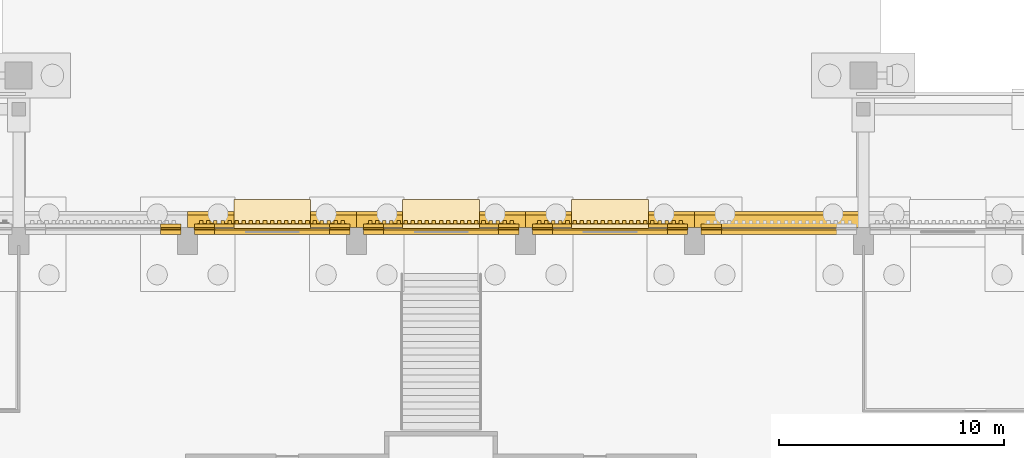
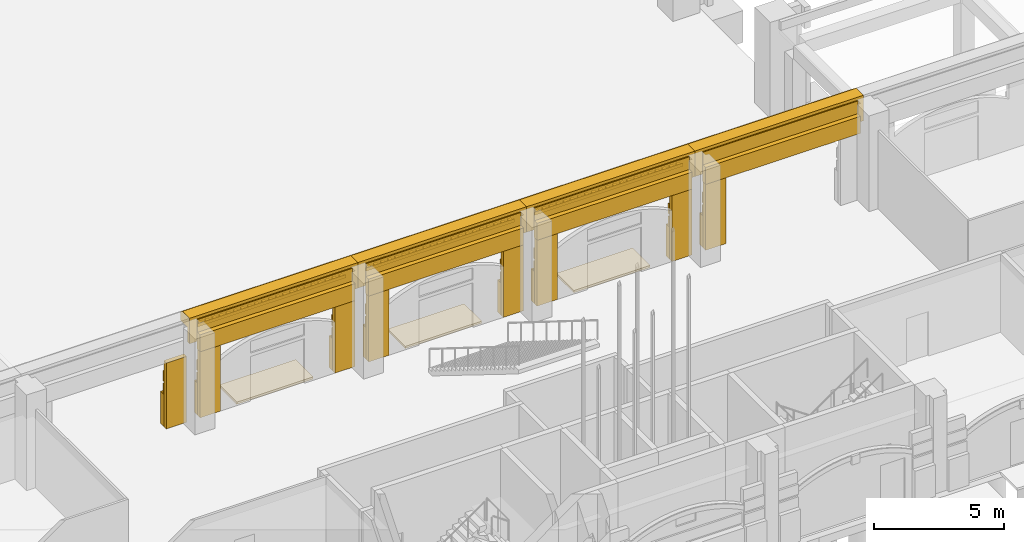
# One storey, part 77 of 99: 46 coverings.
"""IFC4 building model written with IfcOpenShell, lengths in metres."""

from ifc_helpers import new_model, si_unit, direction, frame, origin, place, context, subcontext, project, spatial, polyline, outline, extrude, material, layer, layer_set, type_object, element, save


model = new_model("IFC4")

# Units and contexts
model_context = context("Model", 3, precision=1e-05, world=origin(), true_north=direction((0.0, 1.0)))
body_context = subcontext(model_context, "Body", "Model", "MODEL_VIEW")
ifc_project = project(units=[si_unit("LENGTHUNIT", "METRE"), si_unit("AREAUNIT", "SQUARE_METRE"), si_unit("VOLUMEUNIT", "CUBIC_METRE"), si_unit("PLANEANGLEUNIT", "RADIAN"), si_unit("MASSUNIT", "GRAM", prefix="KILO")], contexts=[model_context])

# Site, building, storey
site_placement = place(None, origin())
site = spatial("IfcSite", under=ifc_project, at=site_placement, CompositionType="ELEMENT")
building_placement = place(site_placement, origin())
building = spatial("IfcBuilding", under=site, at=building_placement, Name="Cour d'Honneur Mobility Palace", CompositionType="ELEMENT")
storey_placement = place(building_placement, origin())
storey = spatial("IfcBuildingStorey", under=building, at=storey_placement, Name="L00", CompositionType="ELEMENT", Elevation=0.0)

# Coverings
ifc_material_1 = material(Name="Cast limestone", Category="masonry")
ifc_layer_1 = layer(ifc_material_1, 0.14990234375)
ifc_layer_set_1 = layer_set([ifc_layer_1], Name="Cast limestone")
covering_type_1 = type_object("IfcCoveringType", Name="Dentil course", PredefinedType="CLADDING", material=ifc_layer_set_1)
covering_1_placement = place(storey_placement, frame((0.0, 0.0, 3.949951171875)))
element("IfcCovering", 1, at=covering_1_placement, inside=storey, type_object=covering_type_1, Name="Dentil course DC-45", PredefinedType="CLADDING", context=body_context, shape_type="SweptSolid", body=[
    extrude(outline(polyline([(91.949951171875, 63.300048828125), (85.35009765625, 63.300048828125), (85.35009765625, 63.330078125), (85.35009765625, 63.330078125), (85.428466796875, 63.330078125), (85.428466796875, 63.449951171875), (85.585693359375, 63.449951171875), (85.585693359375, 63.330078125), (85.664306640625, 63.330078125), (85.664306640625, 63.330078125), (85.742919921875, 63.330078125), (85.742919921875, 63.449951171875), (85.89990234375, 63.449951171875), (85.89990234375, 63.330078125), (85.978515625, 63.330078125), (85.978515625, 63.330078125), (86.05712890625, 63.330078125), (86.05712890625, 63.449951171875), (86.21435546875, 63.449951171875), (86.21435546875, 63.330078125), (86.29296875, 63.330078125), (86.29296875, 63.330078125), (86.371337890625, 63.330078125), (86.371337890625, 63.449951171875), (86.528564453125, 63.449951171875), (86.528564453125, 63.330078125), (86.607177734375, 63.330078125), (86.607177734375, 63.330078125), (86.685791015625, 63.330078125), (86.685791015625, 63.449951171875), (86.8427734375, 63.449951171875), (86.8427734375, 63.330078125), (86.92138671875, 63.330078125), (86.92138671875, 63.330078125), (87.0, 63.330078125), (87.0, 63.449951171875), (87.1572265625, 63.449951171875), (87.1572265625, 63.330078125), (87.235595703125, 63.330078125), (87.235595703125, 63.330078125), (87.314208984375, 63.330078125), (87.314208984375, 63.449951171875), (87.471435546875, 63.449951171875), (87.471435546875, 63.330078125), (87.550048828125, 63.330078125), (87.550048828125, 63.330078125), (87.628662109375, 63.330078125), (87.628662109375, 63.449951171875), (87.78564453125, 63.449951171875), (87.78564453125, 63.330078125), (87.8642578125, 63.330078125), (87.8642578125, 63.330078125), (87.94287109375, 63.330078125), (87.94287109375, 63.449951171875), (88.10009765625, 63.449951171875), (88.10009765625, 63.330078125), (88.178466796875, 63.330078125), (88.178466796875, 63.330078125), (88.257080078125, 63.330078125), (88.257080078125, 63.449951171875), (88.414306640625, 63.449951171875), (88.414306640625, 63.330078125), (88.492919921875, 63.330078125), (88.492919921875, 63.330078125), (88.571533203125, 63.330078125), (88.571533203125, 63.449951171875), (88.728515625, 63.449951171875), (88.728515625, 63.330078125), (88.80712890625, 63.330078125), (88.80712890625, 63.330078125), (88.8857421875, 63.330078125), (88.8857421875, 63.449951171875), (89.04296875, 63.449951171875), (89.04296875, 63.330078125), (89.121337890625, 63.330078125), (89.121337890625, 63.330078125), (89.199951171875, 63.330078125), (89.199951171875, 63.449951171875), (89.357177734375, 63.449951171875), (89.357177734375, 63.330078125), (89.435791015625, 63.330078125), (89.435791015625, 63.330078125), (89.514404296875, 63.330078125), (89.514404296875, 63.449951171875), (89.67138671875, 63.449951171875), (89.67138671875, 63.330078125), (89.75, 63.330078125), (89.75, 63.330078125), (89.82861328125, 63.330078125), (89.82861328125, 63.449951171875), (89.985595703125, 63.449951171875), (89.985595703125, 63.330078125), (90.064208984375, 63.330078125), (90.064208984375, 63.330078125), (90.142822265625, 63.330078125), (90.142822265625, 63.449951171875), (90.300048828125, 63.449951171875), (90.300048828125, 63.330078125), (90.378662109375, 63.330078125), (90.378662109375, 63.330078125), (90.45703125, 63.330078125), (90.45703125, 63.449951171875), (90.6142578125, 63.449951171875), (90.6142578125, 63.330078125), (90.69287109375, 63.330078125), (90.69287109375, 63.330078125), (90.771484375, 63.330078125), (90.771484375, 63.449951171875), (90.928466796875, 63.449951171875), (90.928466796875, 63.330078125), (91.007080078125, 63.330078125), (91.007080078125, 63.330078125), (91.085693359375, 63.330078125), (91.085693359375, 63.449951171875), (91.242919921875, 63.449951171875), (91.242919921875, 63.330078125), (91.321533203125, 63.330078125), (91.321533203125, 63.330078125), (91.39990234375, 63.330078125), (91.39990234375, 63.449951171875), (91.55712890625, 63.449951171875), (91.55712890625, 63.330078125), (91.6357421875, 63.330078125), (91.6357421875, 63.330078125), (91.71435546875, 63.330078125), (91.71435546875, 63.449951171875), (91.871337890625, 63.449951171875), (91.871337890625, 63.330078125), (91.949951171875, 63.330078125), (91.949951171875, 63.300048828125)])), origin(), (0.0, 0.0, 1.0), 0.150146484375),
])
covering_2_placement = place(storey_placement, frame((0.0, 0.0, 3.949951171875)))
element("IfcCovering", 2, at=covering_2_placement, inside=storey, type_object=covering_type_1, Name="Dentil course DC-46", PredefinedType="CLADDING", context=body_context, shape_type="SweptSolid", body=[
    extrude(outline(polyline([(84.449951171875, 63.300048828125), (77.85009765625, 63.300048828125), (77.85009765625, 63.330078125), (77.85009765625, 63.330078125), (77.928466796875, 63.330078125), (77.928466796875, 63.449951171875), (78.085693359375, 63.449951171875), (78.085693359375, 63.330078125), (78.164306640625, 63.330078125), (78.164306640625, 63.330078125), (78.242919921875, 63.330078125), (78.242919921875, 63.449951171875), (78.39990234375, 63.449951171875), (78.39990234375, 63.330078125), (78.478515625, 63.330078125), (78.478515625, 63.330078125), (78.55712890625, 63.330078125), (78.55712890625, 63.449951171875), (78.71435546875, 63.449951171875), (78.71435546875, 63.330078125), (78.79296875, 63.330078125), (78.79296875, 63.330078125), (78.871337890625, 63.330078125), (78.871337890625, 63.449951171875), (79.028564453125, 63.449951171875), (79.028564453125, 63.330078125), (79.107177734375, 63.330078125), (79.107177734375, 63.330078125), (79.185791015625, 63.330078125), (79.185791015625, 63.449951171875), (79.3427734375, 63.449951171875), (79.3427734375, 63.330078125), (79.42138671875, 63.330078125), (79.42138671875, 63.330078125), (79.5, 63.330078125), (79.5, 63.449951171875), (79.6572265625, 63.449951171875), (79.6572265625, 63.330078125), (79.735595703125, 63.330078125), (79.735595703125, 63.330078125), (79.814208984375, 63.330078125), (79.814208984375, 63.449951171875), (79.971435546875, 63.449951171875), (79.971435546875, 63.330078125), (80.050048828125, 63.330078125), (80.050048828125, 63.330078125), (80.128662109375, 63.330078125), (80.128662109375, 63.449951171875), (80.28564453125, 63.449951171875), (80.28564453125, 63.330078125), (80.3642578125, 63.330078125), (80.3642578125, 63.330078125), (80.44287109375, 63.330078125), (80.44287109375, 63.449951171875), (80.60009765625, 63.449951171875), (80.60009765625, 63.330078125), (80.678466796875, 63.330078125), (80.678466796875, 63.330078125), (80.757080078125, 63.330078125), (80.757080078125, 63.449951171875), (80.914306640625, 63.449951171875), (80.914306640625, 63.330078125), (80.992919921875, 63.330078125), (80.992919921875, 63.330078125), (81.071533203125, 63.330078125), (81.071533203125, 63.449951171875), (81.228515625, 63.449951171875), (81.228515625, 63.330078125), (81.30712890625, 63.330078125), (81.30712890625, 63.330078125), (81.3857421875, 63.330078125), (81.3857421875, 63.449951171875), (81.54296875, 63.449951171875), (81.54296875, 63.330078125), (81.621337890625, 63.330078125), (81.621337890625, 63.330078125), (81.699951171875, 63.330078125), (81.699951171875, 63.449951171875), (81.857177734375, 63.449951171875), (81.857177734375, 63.330078125), (81.935791015625, 63.330078125), (81.935791015625, 63.330078125), (82.014404296875, 63.330078125), (82.014404296875, 63.449951171875), (82.17138671875, 63.449951171875), (82.17138671875, 63.330078125), (82.25, 63.330078125), (82.25, 63.330078125), (82.32861328125, 63.330078125), (82.32861328125, 63.449951171875), (82.485595703125, 63.449951171875), (82.485595703125, 63.330078125), (82.564208984375, 63.330078125), (82.564208984375, 63.330078125), (82.642822265625, 63.330078125), (82.642822265625, 63.449951171875), (82.800048828125, 63.449951171875), (82.800048828125, 63.330078125), (82.878662109375, 63.330078125), (82.878662109375, 63.330078125), (82.95703125, 63.330078125), (82.95703125, 63.449951171875), (83.1142578125, 63.449951171875), (83.1142578125, 63.330078125), (83.19287109375, 63.330078125), (83.19287109375, 63.330078125), (83.271484375, 63.330078125), (83.271484375, 63.449951171875), (83.428466796875, 63.449951171875), (83.428466796875, 63.330078125), (83.507080078125, 63.330078125), (83.507080078125, 63.330078125), (83.585693359375, 63.330078125), (83.585693359375, 63.449951171875), (83.742919921875, 63.449951171875), (83.742919921875, 63.330078125), (83.821533203125, 63.330078125), (83.821533203125, 63.330078125), (83.89990234375, 63.330078125), (83.89990234375, 63.449951171875), (84.05712890625, 63.449951171875), (84.05712890625, 63.330078125), (84.1357421875, 63.330078125), (84.1357421875, 63.330078125), (84.21435546875, 63.330078125), (84.21435546875, 63.449951171875), (84.371337890625, 63.449951171875), (84.371337890625, 63.330078125), (84.449951171875, 63.330078125), (84.449951171875, 63.300048828125)])), origin(), (0.0, 0.0, 1.0), 0.150146484375),
])
covering_3_placement = place(storey_placement, frame((0.0, 0.0, 3.949951171875)))
element("IfcCovering", 3, at=covering_3_placement, inside=storey, type_object=covering_type_1, Name="Dentil course DC-47", PredefinedType="CLADDING", context=body_context, shape_type="SweptSolid", body=[
    extrude(outline(polyline([(76.949951171875, 63.300048828125), (70.35009765625, 63.300048828125), (70.35009765625, 63.330078125), (70.35009765625, 63.330078125), (70.428466796875, 63.330078125), (70.428466796875, 63.449951171875), (70.585693359375, 63.449951171875), (70.585693359375, 63.330078125), (70.664306640625, 63.330078125), (70.664306640625, 63.330078125), (70.742919921875, 63.330078125), (70.742919921875, 63.449951171875), (70.89990234375, 63.449951171875), (70.89990234375, 63.330078125), (70.978515625, 63.330078125), (70.978515625, 63.330078125), (71.05712890625, 63.330078125), (71.05712890625, 63.449951171875), (71.21435546875, 63.449951171875), (71.21435546875, 63.330078125), (71.29296875, 63.330078125), (71.29296875, 63.330078125), (71.371337890625, 63.330078125), (71.371337890625, 63.449951171875), (71.528564453125, 63.449951171875), (71.528564453125, 63.330078125), (71.607177734375, 63.330078125), (71.607177734375, 63.330078125), (71.685791015625, 63.330078125), (71.685791015625, 63.449951171875), (71.8427734375, 63.449951171875), (71.8427734375, 63.330078125), (71.92138671875, 63.330078125), (71.92138671875, 63.330078125), (72.0, 63.330078125), (72.0, 63.449951171875), (72.1572265625, 63.449951171875), (72.1572265625, 63.330078125), (72.235595703125, 63.330078125), (72.235595703125, 63.330078125), (72.314208984375, 63.330078125), (72.314208984375, 63.449951171875), (72.471435546875, 63.449951171875), (72.471435546875, 63.330078125), (72.550048828125, 63.330078125), (72.550048828125, 63.330078125), (72.628662109375, 63.330078125), (72.628662109375, 63.449951171875), (72.78564453125, 63.449951171875), (72.78564453125, 63.330078125), (72.8642578125, 63.330078125), (72.8642578125, 63.330078125), (72.94287109375, 63.330078125), (72.94287109375, 63.449951171875), (73.10009765625, 63.449951171875), (73.10009765625, 63.330078125), (73.178466796875, 63.330078125), (73.178466796875, 63.330078125), (73.257080078125, 63.330078125), (73.257080078125, 63.449951171875), (73.414306640625, 63.449951171875), (73.414306640625, 63.330078125), (73.492919921875, 63.330078125), (73.492919921875, 63.330078125), (73.571533203125, 63.330078125), (73.571533203125, 63.449951171875), (73.728515625, 63.449951171875), (73.728515625, 63.330078125), (73.80712890625, 63.330078125), (73.80712890625, 63.330078125), (73.8857421875, 63.330078125), (73.8857421875, 63.449951171875), (74.04296875, 63.449951171875), (74.04296875, 63.330078125), (74.121337890625, 63.330078125), (74.121337890625, 63.330078125), (74.199951171875, 63.330078125), (74.199951171875, 63.449951171875), (74.357177734375, 63.449951171875), (74.357177734375, 63.330078125), (74.435791015625, 63.330078125), (74.435791015625, 63.330078125), (74.514404296875, 63.330078125), (74.514404296875, 63.449951171875), (74.67138671875, 63.449951171875), (74.67138671875, 63.330078125), (74.75, 63.330078125), (74.75, 63.330078125), (74.82861328125, 63.330078125), (74.82861328125, 63.449951171875), (74.985595703125, 63.449951171875), (74.985595703125, 63.330078125), (75.064208984375, 63.330078125), (75.064208984375, 63.330078125), (75.142822265625, 63.330078125), (75.142822265625, 63.449951171875), (75.300048828125, 63.449951171875), (75.300048828125, 63.330078125), (75.378662109375, 63.330078125), (75.378662109375, 63.330078125), (75.45703125, 63.330078125), (75.45703125, 63.449951171875), (75.6142578125, 63.449951171875), (75.6142578125, 63.330078125), (75.69287109375, 63.330078125), (75.69287109375, 63.330078125), (75.771484375, 63.330078125), (75.771484375, 63.449951171875), (75.928466796875, 63.449951171875), (75.928466796875, 63.330078125), (76.007080078125, 63.330078125), (76.007080078125, 63.330078125), (76.085693359375, 63.330078125), (76.085693359375, 63.449951171875), (76.242919921875, 63.449951171875), (76.242919921875, 63.330078125), (76.321533203125, 63.330078125), (76.321533203125, 63.330078125), (76.39990234375, 63.330078125), (76.39990234375, 63.449951171875), (76.55712890625, 63.449951171875), (76.55712890625, 63.330078125), (76.6357421875, 63.330078125), (76.6357421875, 63.330078125), (76.71435546875, 63.330078125), (76.71435546875, 63.449951171875), (76.871337890625, 63.449951171875), (76.871337890625, 63.330078125), (76.949951171875, 63.330078125), (76.949951171875, 63.300048828125)])), origin(), (0.0, 0.0, 1.0), 0.150146484375),
])
ifc_material_2 = material(Name="Cast limestone", Category="masonry")
ifc_layer_2 = layer(ifc_material_2, 0.699951171875)
ifc_layer_set_2 = layer_set([ifc_layer_2], Name="Cast limestone")
covering_type_2 = type_object("IfcCoveringType", Name="Entablature", PredefinedType="CLADDING", material=ifc_layer_set_2)
for number, where, z_axis, x_axis, name in (
    (4, (99.89990234375, 63.14990234375, 3.39990234375), (1.0, 0.0, 0.0), (0.0, 1.0, 0.0), "Entablature EN-44"),
    (5, (92.39990234375, 63.14990234375, 3.39990234375), (1.0, 0.0, 0.0), (0.0, 1.0, 0.0), "Entablature EN-45"),
    (6, (84.89990234375, 63.14990234375, 3.39990234375), (1.0, 0.0, 0.0), (0.0, 1.0, 0.0), "Entablature EN-46"),
    (7, (77.39990234375, 63.14990234375, 3.39990234375), (1.0, 0.0, 0.0), (0.0, 1.0, 0.0), "Entablature EN-47"),
):
    element("IfcCovering", number, at=place(storey_placement, frame(where, z_axis=z_axis, x_axis=x_axis)), inside=storey, type_object=covering_type_2, Name=name, PredefinedType="CLADDING", context=body_context, shape_type="SweptSolid", body=[
        extrude(outline(polyline([(0.0, 0.0), (0.150146484375, 0.0), (0.150146484375, 0.7001953125), (0.7001953125, 0.7001953125), (0.7001953125, 1.10009765625), (0.550048828125, 1.2001953125), (0.0, 1.2001953125), (0.0, 0.0)])), origin(), (0.0, 0.0, -1.0), 7.5),
    ])
ifc_material_3 = material(Name="Granite paving", Category="masonry")
ifc_layer_3 = layer(ifc_material_3, 0.10009765625)
ifc_layer_set_3 = layer_set([ifc_layer_3], Name="Granite paving")
covering_type_3 = type_object("IfcCoveringType", Name="Entrance paving", PredefinedType="FLOORING", material=ifc_layer_set_3)
covering_4_placement = place(storey_placement, frame((0.0, 0.0, -0.10009765625)))
element("IfcCovering", 8, at=covering_4_placement, inside=storey, type_object=covering_type_3, Name="Entrance paving PV-18", PredefinedType="FLOORING", context=body_context, shape_type="SweptSolid", body=[
    extrude(outline(polyline([(90.35009765625, 63.050048828125), (86.949951171875, 63.050048828125), (86.949951171875, 64.39990234375), (90.35009765625, 64.39990234375), (90.35009765625, 63.050048828125)])), origin(), (0.0, 0.0, 1.0), 0.10009765625),
])
covering_5_placement = place(storey_placement, frame((0.0, 0.0, -0.10009765625)))
element("IfcCovering", 9, at=covering_5_placement, inside=storey, type_object=covering_type_3, Name="Entrance paving PV-19", PredefinedType="FLOORING", context=body_context, shape_type="SweptSolid", body=[
    extrude(outline(polyline([(82.85009765625, 63.050048828125), (79.449951171875, 63.050048828125), (79.449951171875, 64.39990234375), (82.85009765625, 64.39990234375), (82.85009765625, 63.050048828125)])), origin(), (0.0, 0.0, 1.0), 0.10009765625),
])
covering_6_placement = place(storey_placement, frame((0.0, 0.0, -0.10009765625)))
element("IfcCovering", 10, at=covering_6_placement, inside=storey, type_object=covering_type_3, Name="Entrance paving PV-20", PredefinedType="FLOORING", context=body_context, shape_type="SweptSolid", body=[
    extrude(outline(polyline([(75.35009765625, 63.050048828125), (71.949951171875, 63.050048828125), (71.949951171875, 64.39990234375), (75.35009765625, 64.39990234375), (75.35009765625, 63.050048828125)])), origin(), (0.0, 0.0, 1.0), 0.10009765625),
])
ifc_material_4 = material(Name="Cast limestone", Category="masonry")
ifc_layer_4 = layer(ifc_material_4, 0.25)
ifc_layer_set_4 = layer_set([ifc_layer_4], Name="Cast limestone")
covering_type_4 = type_object("IfcCoveringType", Name="Plinth course", PredefinedType="CLADDING", material=ifc_layer_set_4)
covering_7_placement = place(storey_placement, origin())
element("IfcCovering", 11, at=covering_7_placement, inside=storey, type_object=covering_type_4, Name="Plinth course PI-152", PredefinedType="CLADDING", context=body_context, shape_type="SweptSolid", body=[
    extrude(outline(polyline([(93.60009765625, 63.050048828125), (92.699951171875, 63.050048828125), (92.699951171875, 63.300048828125), (93.60009765625, 63.300048828125), (93.60009765625, 63.050048828125)])), origin(), (0.0, 0.0, 1.0), 1.5),
])
covering_8_placement = place(storey_placement, origin())
element("IfcCovering", 12, at=covering_8_placement, inside=storey, type_object=covering_type_4, Name="Plinth course PI-153", PredefinedType="CLADDING", context=body_context, shape_type="SweptSolid", body=[
    extrude(outline(polyline([(92.10009765625, 63.050048828125), (91.199951171875, 63.050048828125), (91.199951171875, 63.300048828125), (92.10009765625, 63.300048828125), (92.10009765625, 63.050048828125)])), origin(), (0.0, 0.0, 1.0), 1.5),
])
covering_9_placement = place(storey_placement, origin())
element("IfcCovering", 13, at=covering_9_placement, inside=storey, type_object=covering_type_4, Name="Plinth course PI-154", PredefinedType="CLADDING", context=body_context, shape_type="SweptSolid", body=[
    extrude(outline(polyline([(86.10009765625, 63.050048828125), (85.199951171875, 63.050048828125), (85.199951171875, 63.300048828125), (86.10009765625, 63.300048828125), (86.10009765625, 63.050048828125)])), origin(), (0.0, 0.0, 1.0), 1.5),
])
covering_10_placement = place(storey_placement, origin())
element("IfcCovering", 14, at=covering_10_placement, inside=storey, type_object=covering_type_4, Name="Plinth course PI-155", PredefinedType="CLADDING", context=body_context, shape_type="SweptSolid", body=[
    extrude(outline(polyline([(84.60009765625, 63.050048828125), (83.699951171875, 63.050048828125), (83.699951171875, 63.300048828125), (84.60009765625, 63.300048828125), (84.60009765625, 63.050048828125)])), origin(), (0.0, 0.0, 1.0), 1.5),
])
covering_11_placement = place(storey_placement, origin())
element("IfcCovering", 15, at=covering_11_placement, inside=storey, type_object=covering_type_4, Name="Plinth course PI-156", PredefinedType="CLADDING", context=body_context, shape_type="SweptSolid", body=[
    extrude(outline(polyline([(78.60009765625, 63.050048828125), (77.699951171875, 63.050048828125), (77.699951171875, 63.300048828125), (78.60009765625, 63.300048828125), (78.60009765625, 63.050048828125)])), origin(), (0.0, 0.0, 1.0), 1.5),
])
covering_12_placement = place(storey_placement, origin())
element("IfcCovering", 16, at=covering_12_placement, inside=storey, type_object=covering_type_4, Name="Plinth course PI-157", PredefinedType="CLADDING", context=body_context, shape_type="SweptSolid", body=[
    extrude(outline(polyline([(77.10009765625, 63.050048828125), (76.199951171875, 63.050048828125), (76.199951171875, 63.300048828125), (77.10009765625, 63.300048828125), (77.10009765625, 63.050048828125)])), origin(), (0.0, 0.0, 1.0), 1.5),
])
covering_13_placement = place(storey_placement, origin())
element("IfcCovering", 17, at=covering_13_placement, inside=storey, type_object=covering_type_4, Name="Plinth course PI-158", PredefinedType="CLADDING", context=body_context, shape_type="SweptSolid", body=[
    extrude(outline(polyline([(71.10009765625, 63.050048828125), (70.199951171875, 63.050048828125), (70.199951171875, 63.300048828125), (71.10009765625, 63.300048828125), (71.10009765625, 63.050048828125)])), origin(), (0.0, 0.0, 1.0), 1.5),
])
covering_14_placement = place(storey_placement, origin())
element("IfcCovering", 18, at=covering_14_placement, inside=storey, type_object=covering_type_4, Name="Plinth course PI-159", PredefinedType="CLADDING", context=body_context, shape_type="SweptSolid", body=[
    extrude(outline(polyline([(69.60009765625, 63.050048828125), (68.699951171875, 63.050048828125), (68.699951171875, 63.300048828125), (69.60009765625, 63.300048828125), (69.60009765625, 63.050048828125)])), origin(), (0.0, 0.0, 1.0), 1.5),
])
ifc_material_5 = material(Name="Cast limestone", Category="masonry")
ifc_layer_5 = layer(ifc_material_5, 0.199951171875)
ifc_layer_set_5 = layer_set([ifc_layer_5], Name="Cast limestone")
covering_type_5 = type_object("IfcCoveringType", Name="Rusticated jamb panel", PredefinedType="CLADDING", material=ifc_layer_set_5)
for number, where, z_axis, x_axis, name in (
    (19, (93.60009765625, 63.050048828125, 0.0), (0.0, 1.0, 0.0), (-1.0, 0.0, 0.0), "Rusticated jamb panel RP-125"),
    (20, (92.10009765625, 63.050048828125, 0.0), (0.0, 1.0, 0.0), (-1.0, 0.0, 0.0), "Rusticated jamb panel RP-126"),
    (21, (86.10009765625, 63.050048828125, 0.0), (0.0, 1.0, 0.0), (-1.0, 0.0, 0.0), "Rusticated jamb panel RP-127"),
    (22, (84.60009765625, 63.050048828125, 0.0), (0.0, 1.0, 0.0), (-1.0, 0.0, 0.0), "Rusticated jamb panel RP-128"),
    (23, (78.60009765625, 63.050048828125, 0.0), (0.0, 1.0, 0.0), (-1.0, 0.0, 0.0), "Rusticated jamb panel RP-129"),
    (24, (77.10009765625, 63.050048828125, 0.0), (0.0, 1.0, 0.0), (-1.0, 0.0, 0.0), "Rusticated jamb panel RP-130"),
    (25, (71.10009765625, 63.050048828125, 0.0), (0.0, 1.0, 0.0), (-1.0, 0.0, 0.0), "Rusticated jamb panel RP-131"),
    (26, (69.60009765625, 63.050048828125, 0.0), (0.0, 1.0, 0.0), (-1.0, 0.0, 0.0), "Rusticated jamb panel RP-132"),
):
    element("IfcCovering", number, at=place(storey_placement, frame(where, z_axis=z_axis, x_axis=x_axis)), inside=storey, type_object=covering_type_5, Name=name, PredefinedType="CLADDING", context=body_context, shape_type="SweptSolid", body=[
        extrude(outline(polyline([(0.0, 0.0), (0.900146484375, 0.0), (0.900146484375, 3.10009765625), (0.0, 3.10009765625), (0.0, 0.0)])), origin(), (0.0, 0.0, -1.0), 0.199951171875),
    ])
ifc_material_6 = material(Name="Cast limestone", Category="masonry")
ifc_layer_6 = layer(ifc_material_6, 0.080078125)
ifc_layer_set_6 = layer_set([ifc_layer_6], Name="Cast limestone")
covering_type_6 = type_object("IfcCoveringType", Name="Rustication course", PredefinedType="CLADDING", material=ifc_layer_set_6)
for number, where, name in (
    (27, (0.0, 0.0, 1.5), "Rustication course RC-269"),
    (28, (0.0, 0.0, 2.10009765625), "Rustication course RC-270"),
):
    element("IfcCovering", number, at=place(storey_placement, frame(where)), inside=storey, type_object=covering_type_6, Name=name, PredefinedType="CLADDING", context=body_context, shape_type="SweptSolid", body=[
        extrude(outline(polyline([(93.60009765625, 63.050048828125), (92.699951171875, 63.050048828125), (92.699951171875, 63.1298828125), (93.60009765625, 63.1298828125), (93.60009765625, 63.050048828125)])), origin(), (0.0, 0.0, 1.0), 0.47998046875),
    ])
for number, where, name in (
    (29, (0.0, 0.0, 1.5), "Rustication course RC-271"),
    (30, (0.0, 0.0, 2.10009765625), "Rustication course RC-272"),
):
    element("IfcCovering", number, at=place(storey_placement, frame(where)), inside=storey, type_object=covering_type_6, Name=name, PredefinedType="CLADDING", context=body_context, shape_type="SweptSolid", body=[
        extrude(outline(polyline([(92.10009765625, 63.050048828125), (91.199951171875, 63.050048828125), (91.199951171875, 63.1298828125), (92.10009765625, 63.1298828125), (92.10009765625, 63.050048828125)])), origin(), (0.0, 0.0, 1.0), 0.47998046875),
    ])
for number, where, name in (
    (31, (0.0, 0.0, 1.5), "Rustication course RC-273"),
    (32, (0.0, 0.0, 2.10009765625), "Rustication course RC-274"),
):
    element("IfcCovering", number, at=place(storey_placement, frame(where)), inside=storey, type_object=covering_type_6, Name=name, PredefinedType="CLADDING", context=body_context, shape_type="SweptSolid", body=[
        extrude(outline(polyline([(86.10009765625, 63.050048828125), (85.199951171875, 63.050048828125), (85.199951171875, 63.1298828125), (86.10009765625, 63.1298828125), (86.10009765625, 63.050048828125)])), origin(), (0.0, 0.0, 1.0), 0.47998046875),
    ])
for number, where, name in (
    (33, (0.0, 0.0, 1.5), "Rustication course RC-275"),
    (34, (0.0, 0.0, 2.10009765625), "Rustication course RC-276"),
):
    element("IfcCovering", number, at=place(storey_placement, frame(where)), inside=storey, type_object=covering_type_6, Name=name, PredefinedType="CLADDING", context=body_context, shape_type="SweptSolid", body=[
        extrude(outline(polyline([(84.60009765625, 63.050048828125), (83.699951171875, 63.050048828125), (83.699951171875, 63.1298828125), (84.60009765625, 63.1298828125), (84.60009765625, 63.050048828125)])), origin(), (0.0, 0.0, 1.0), 0.47998046875),
    ])
for number, where, name in (
    (35, (0.0, 0.0, 1.5), "Rustication course RC-277"),
    (36, (0.0, 0.0, 2.10009765625), "Rustication course RC-278"),
):
    element("IfcCovering", number, at=place(storey_placement, frame(where)), inside=storey, type_object=covering_type_6, Name=name, PredefinedType="CLADDING", context=body_context, shape_type="SweptSolid", body=[
        extrude(outline(polyline([(78.60009765625, 63.050048828125), (77.699951171875, 63.050048828125), (77.699951171875, 63.1298828125), (78.60009765625, 63.1298828125), (78.60009765625, 63.050048828125)])), origin(), (0.0, 0.0, 1.0), 0.47998046875),
    ])
for number, where, name in (
    (37, (0.0, 0.0, 1.5), "Rustication course RC-279"),
    (38, (0.0, 0.0, 2.10009765625), "Rustication course RC-280"),
):
    element("IfcCovering", number, at=place(storey_placement, frame(where)), inside=storey, type_object=covering_type_6, Name=name, PredefinedType="CLADDING", context=body_context, shape_type="SweptSolid", body=[
        extrude(outline(polyline([(77.10009765625, 63.050048828125), (76.199951171875, 63.050048828125), (76.199951171875, 63.1298828125), (77.10009765625, 63.1298828125), (77.10009765625, 63.050048828125)])), origin(), (0.0, 0.0, 1.0), 0.47998046875),
    ])
for number, where, name in (
    (39, (0.0, 0.0, 1.5), "Rustication course RC-281"),
    (40, (0.0, 0.0, 2.10009765625), "Rustication course RC-282"),
):
    element("IfcCovering", number, at=place(storey_placement, frame(where)), inside=storey, type_object=covering_type_6, Name=name, PredefinedType="CLADDING", context=body_context, shape_type="SweptSolid", body=[
        extrude(outline(polyline([(71.10009765625, 63.050048828125), (70.199951171875, 63.050048828125), (70.199951171875, 63.1298828125), (71.10009765625, 63.1298828125), (71.10009765625, 63.050048828125)])), origin(), (0.0, 0.0, 1.0), 0.47998046875),
    ])
for number, where, name in (
    (41, (0.0, 0.0, 1.5), "Rustication course RC-283"),
    (42, (0.0, 0.0, 2.10009765625), "Rustication course RC-284"),
):
    element("IfcCovering", number, at=place(storey_placement, frame(where)), inside=storey, type_object=covering_type_6, Name=name, PredefinedType="CLADDING", context=body_context, shape_type="SweptSolid", body=[
        extrude(outline(polyline([(69.60009765625, 63.050048828125), (68.699951171875, 63.050048828125), (68.699951171875, 63.1298828125), (69.60009765625, 63.1298828125), (69.60009765625, 63.050048828125)])), origin(), (0.0, 0.0, 1.0), 0.47998046875),
    ])
ifc_material_7 = material(Name="Cast limestone", Category="masonry")
ifc_layer_7 = layer(ifc_material_7, 0.25)
ifc_layer_set_7 = layer_set([ifc_layer_7], Name="Cast limestone")
covering_type_7 = type_object("IfcCoveringType", Name="Spandrel cladding", PredefinedType="CLADDING", material=ifc_layer_set_7)
for number, where, z_axis, x_axis, name in (
    (43, (99.60009765625, 62.85009765625, 3.10009765625), (1.0, 0.0, 0.0), (0.0, 1.0, 0.0), "Spandrel cladding SK-44"),
    (44, (92.10009765625, 62.85009765625, 3.10009765625), (1.0, 0.0, 0.0), (0.0, 1.0, 0.0), "Spandrel cladding SK-45"),
    (45, (84.60009765625, 62.85009765625, 3.10009765625), (1.0, 0.0, 0.0), (0.0, 1.0, 0.0), "Spandrel cladding SK-46"),
    (46, (77.10009765625, 62.85009765625, 3.10009765625), (1.0, 0.0, 0.0), (0.0, 1.0, 0.0), "Spandrel cladding SK-47"),
):
    element("IfcCovering", number, at=place(storey_placement, frame(where, z_axis=z_axis, x_axis=x_axis)), inside=storey, type_object=covering_type_7, Name=name, PredefinedType="CLADDING", context=body_context, shape_type="SweptSolid", body=[
        extrude(outline(polyline([(0.0, 0.0), (0.25, 0.0), (0.25, 1.39990234375), (0.199951171875, 1.39990234375), (0.199951171875, 0.7998046875), (0.0, 0.7998046875), (0.0, 0.0)])), origin(), (0.0, 0.0, -1.0), 6.89990234375),
    ])

save(model, "model.ifc")
